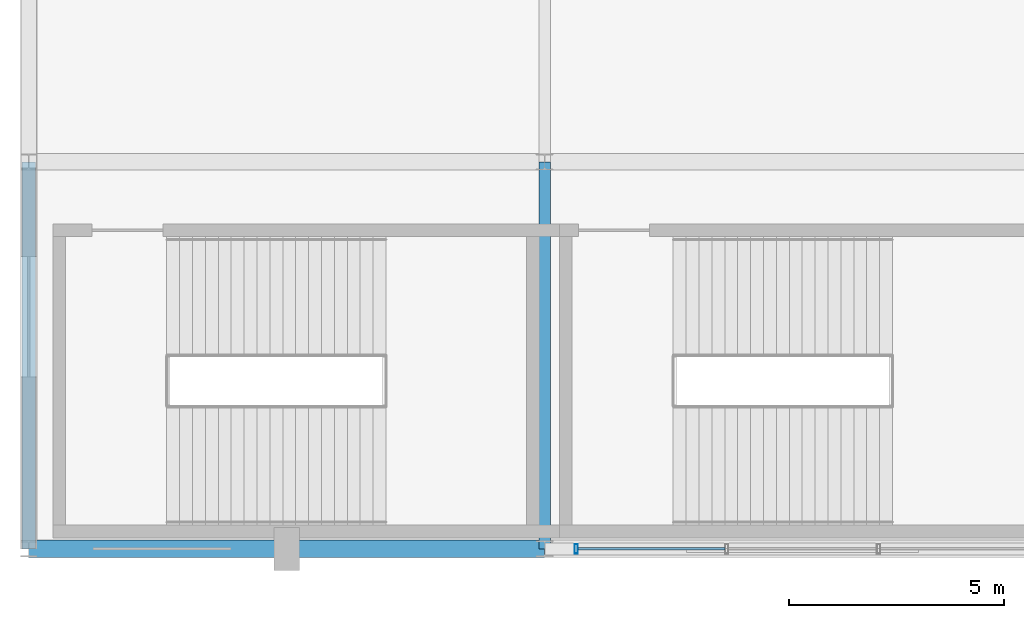
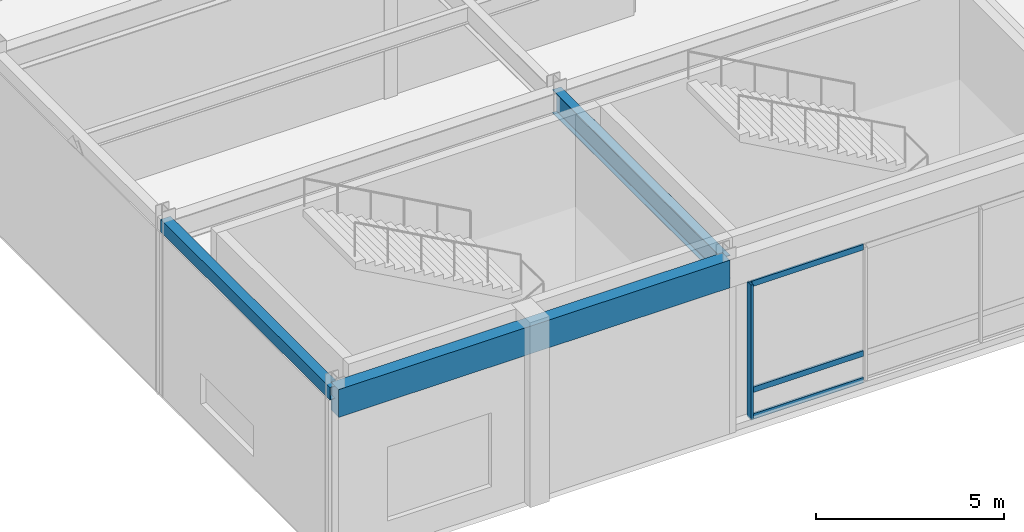
# One storey, part 17 of 108: 4 members, 3 beams, 1 element without a shape of its own.
"""IFC4 building model written with IfcOpenShell, lengths in metres."""

from ifc_helpers import new_model, si_unit, direction, frame, origin, origin_2d, place, context, subcontext, project, spatial, rectangle, hollow_rectangle, i_section, extrude, material, material_profile, profile_set, type_object, element, aggregate, save


model = new_model("IFC4")

# Units and contexts
model_context = context("Model", 3, precision=1e-05, world=origin(), true_north=direction((0.0, 1.0)))
body_context = subcontext(model_context, "Body", "Model", "MODEL_VIEW")
ifc_project = project(units=[si_unit("LENGTHUNIT", "METRE"), si_unit("AREAUNIT", "SQUARE_METRE"), si_unit("VOLUMEUNIT", "CUBIC_METRE"), si_unit("PLANEANGLEUNIT", "RADIAN"), si_unit("MASSUNIT", "GRAM", prefix="KILO")], contexts=[model_context])

# Site, building, storey
site_placement = place(None, origin())
site = spatial("IfcSite", under=ifc_project, at=site_placement, CompositionType="ELEMENT")
building_placement = place(site_placement, origin())
building = spatial("IfcBuilding", under=site, at=building_placement, Name="Kaldorvane Square Convention Centre", CompositionType="ELEMENT")
storey_placement = place(building_placement, frame((0.0, 0.0, 12.0)))
storey = spatial("IfcBuildingStorey", under=building, at=storey_placement, Name="L02", CompositionType="ELEMENT", Elevation=12.0)

# Beams
ifc_material_1 = material(Name="Steel ASTM A992 Gr. 50", Category="steel")
ifc_material_profile_1 = material_profile(ifc_material_1, i_section(OverallWidth=0.2666015625, OverallDepth=0.762298583984375, WebThickness=0.014404296875, FlangeThickness=0.0216064453125, FilletRadius=0.0164947509765625, at=origin_2d()), Name="W30X116")
ifc_profile_set_1 = profile_set([ifc_material_profile_1], Name="Steel ASTM A992 Gr. 50")
beam_type_1 = type_object("IfcBeamType", Name="BM-GR-W30X116", PredefinedType="BEAM", material=ifc_profile_set_1)
beam_1_placement = place(storey_placement, frame((12.0, 0.0, 5.264801025390625), z_axis=(0.0, 1.0, 0.0), x_axis=(-1.0, 0.0, 0.0)))
element("IfcBeam", 1, at=beam_1_placement, inside=storey, type_object=beam_type_1, Name="Transverse Girder (L02)", PredefinedType="BEAM", context=body_context, shape_type="SweptSolid", body=[
    extrude(i_section(OverallWidth=0.2666015625, OverallDepth=0.762298583984375, WebThickness=0.014404296875, FlangeThickness=0.0216064453125, FilletRadius=0.0164947509765625, at=origin_2d()), origin(), (0.0, 0.0, 1.0), 9.0),
])
ifc_material_2 = material(Name="Steel ASTM A500 Gr. C", Category="steel")
ifc_material_profile_2 = material_profile(ifc_material_2, hollow_rectangle(XDim=0.3047943115234375, YDim=0.406402587890625, WallThickness=0.0117950439453125, at=origin_2d()), Name="HSS16X12X1/2")
ifc_profile_set_2 = profile_set([ifc_material_profile_2], Name="Steel ASTM A500 Gr. C")
beam_type_2 = type_object("IfcBeamType", Name="BM-SP-HSS16", PredefinedType="SPANDREL", material=ifc_profile_set_2)
beam_2_placement = place(storey_placement, frame((0.0, 0.0, 5.4427947998046875), z_axis=(0.0, 1.0, 0.0), x_axis=(-1.0, 0.0, 0.0)))
element("IfcBeam", 2, at=beam_2_placement, inside=storey, type_object=beam_type_2, Name="End Spandrel (L02)", PredefinedType="SPANDREL", context=body_context, shape_type="SweptSolid", body=[
    extrude(hollow_rectangle(XDim=0.3047943115234375, YDim=0.406402587890625, WallThickness=0.0117950439453125, at=origin_2d()), origin(), (0.0, 0.0, 1.0), 9.0),
])
ifc_material_3 = material(Name="Concrete f'c = 42 MPa (Normalweight)", Category="concrete")
ifc_material_profile_3 = material_profile(ifc_material_3, rectangle(XDim=0.399993896484375, YDim=0.899993896484375, at=origin_2d()), Name="RCSP900X400")
ifc_profile_set_3 = profile_set([ifc_material_profile_3], Name="Concrete f'c = 42 MPa (Normalweight)")
beam_type_3 = type_object("IfcBeamType", Name="BM-SP-RC900", PredefinedType="SPANDREL", material=ifc_profile_set_3)
beam_3_placement = place(storey_placement, frame((0.0, 0.0, 5.1959991455078125), z_axis=(1.0, 0.0, 0.0), x_axis=(0.0, 1.0, 0.0)))
element("IfcBeam", 3, at=beam_3_placement, inside=storey, type_object=beam_type_3, Name="Perimeter Spandrel (L02)", PredefinedType="SPANDREL", context=body_context, shape_type="SweptSolid", body=[
    extrude(rectangle(XDim=0.399993896484375, YDim=0.899993896484375, at=origin_2d()), origin(), (0.0, 0.0, 1.0), 12.0),
])

# Curtain wall, members
ifc_material_4 = material(Name="Anodized Aluminum and Low-E Insulated Glazing", Category="aluminium")
curtain_wall_type = type_object("IfcCurtainWallType", Name="CW-UNI-P60-12", PredefinedType="USERDEFINED", material=ifc_material_4)
curtain_wall_placement = place(storey_placement, origin())
curtain_wall = element("IfcCurtainWall", 4, at=curtain_wall_placement, inside=storey, type_object=curtain_wall_type, Name="Curtain Wall CW-01 (L02)", ObjectType="UNITISED GLAZING", PredefinedType="USERDEFINED")
ifc_material_profile_4 = material_profile(ifc_material_4, hollow_rectangle(XDim=0.0749969482421875, YDim=0.220001220703125, WallThickness=0.003997802734375, at=origin_2d()), Name="CWM-220X75")
ifc_profile_set_4 = profile_set([ifc_material_profile_4], Name="Anodized Aluminum and Low-E Insulated Glazing")
member_type_1 = type_object("IfcMemberType", Name="CW-MUL-220", PredefinedType="MULLION", material=ifc_profile_set_4)
member_1_placement = place(storey_placement, frame((12.737503051757812, 0.0, 0.149993896484375), z_axis=(0.0, 0.0, 1.0), x_axis=(1.0, 0.0, 0.0)))
member_1 = element("IfcMember", 5, at=member_1_placement, type_object=member_type_1, Name="CW-01 mullion 1", PredefinedType="MULLION", context=body_context, shape_type="SweptSolid", body=[
    extrude(hollow_rectangle(XDim=0.0749969482421875, YDim=0.220001220703125, WallThickness=0.003997802734375, at=origin_2d()), origin(), (0.0, 0.0, 1.0), 4.3800048828125),
])
ifc_material_profile_5 = material_profile(ifc_material_4, hollow_rectangle(XDim=0.06500244140625, YDim=0.17999267578125, WallThickness=0.0034942626953125, at=origin_2d()), Name="CWT-180X65")
ifc_profile_set_5 = profile_set([ifc_material_profile_5], Name="Anodized Aluminum and Low-E Insulated Glazing")
member_type_2 = type_object("IfcMemberType", Name="CW-TRN-180", PredefinedType="USERDEFINED", material=ifc_profile_set_5)
member_2_placement = place(storey_placement, frame((12.774993896484375, 0.0, 0.1824951171875), z_axis=(1.0, 0.0, 0.0), x_axis=(0.0, 1.0, 0.0)))
member_2 = element("IfcMember", 6, at=member_2_placement, type_object=member_type_2, Name="CW-01 transom 1.1", ObjectType="TRANSOM", PredefinedType="USERDEFINED", context=body_context, shape_type="SweptSolid", body=[
    extrude(hollow_rectangle(XDim=0.06500244140625, YDim=0.17999267578125, WallThickness=0.0034942626953125, at=origin_2d()), origin(), (0.0, 0.0, 1.0), 3.42083740234375),
])
member_3_placement = place(storey_placement, frame((12.774993896484375, 0.0, 1.0500030517578125), z_axis=(1.0, 0.0, 0.0), x_axis=(0.0, 1.0, 0.0)))
member_3 = element("IfcMember", 7, at=member_3_placement, type_object=member_type_2, Name="CW-01 transom 1.2", ObjectType="TRANSOM", PredefinedType="USERDEFINED", context=body_context, shape_type="SweptSolid", body=[
    extrude(hollow_rectangle(XDim=0.06500244140625, YDim=0.17999267578125, WallThickness=0.0034942626953125, at=origin_2d()), origin(), (0.0, 0.0, 1.0), 3.42083740234375),
])
member_4_placement = place(storey_placement, frame((12.774993896484375, 0.0, 4.49749755859375), z_axis=(1.0, 0.0, 0.0), x_axis=(0.0, 1.0, 0.0)))
member_4 = element("IfcMember", 8, at=member_4_placement, type_object=member_type_2, Name="CW-01 transom 1.3", ObjectType="TRANSOM", PredefinedType="USERDEFINED", context=body_context, shape_type="SweptSolid", body=[
    extrude(hollow_rectangle(XDim=0.06500244140625, YDim=0.17999267578125, WallThickness=0.0034942626953125, at=origin_2d()), origin(), (0.0, 0.0, 1.0), 3.42083740234375),
])
aggregate(curtain_wall, [member_1, member_2, member_3, member_4])

save(model, "model.ifc")
